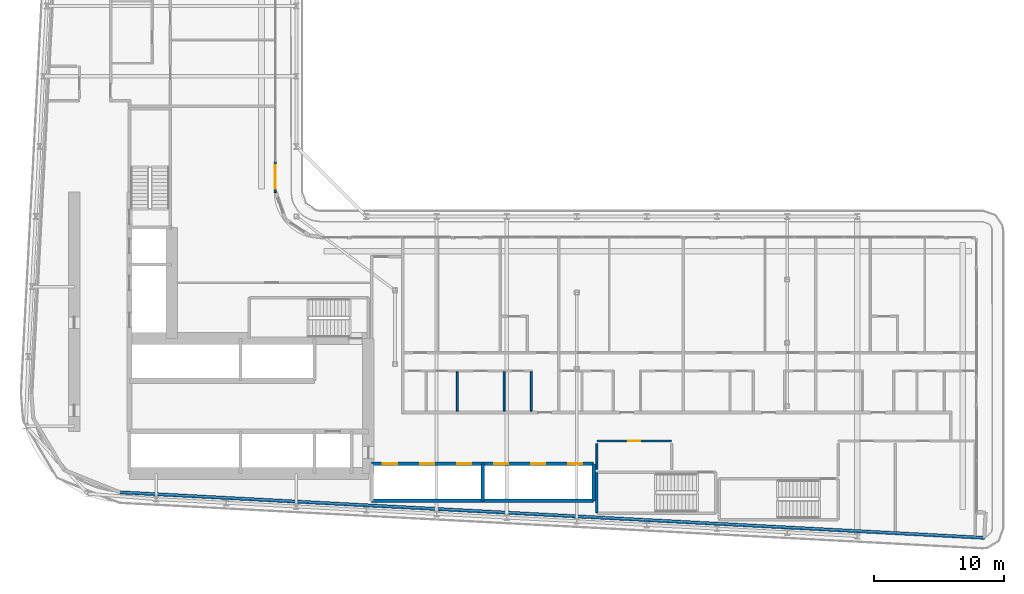
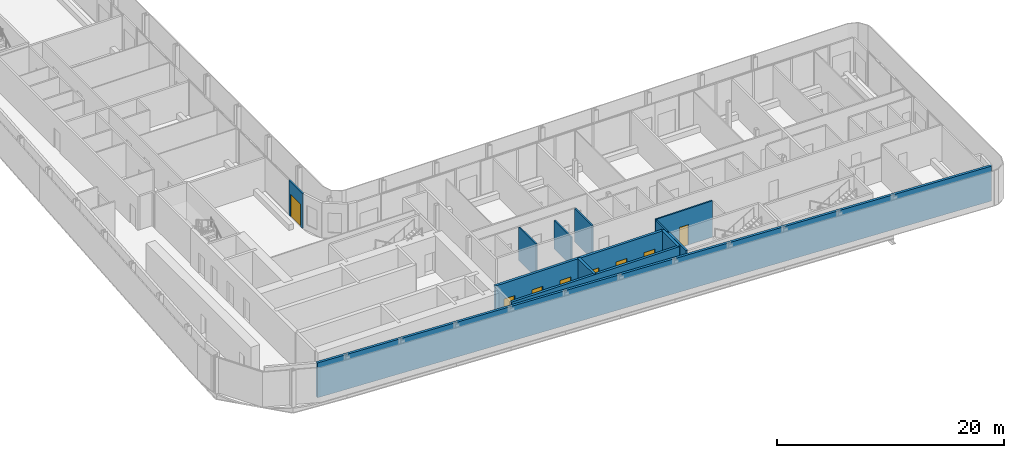
# One storey, part 13 of 26: 12 walls, 8 doors, 8 openings.
"""IFC4 building model written with IfcOpenShell, lengths in metres."""

from ifc_helpers import new_model, si_unit, direction, frame, frame_2d, origin, place, context, subcontext, project, spatial, rectangle, extrude, source, transform, mapped, material, layer, layer_set, type_object, element, fill, save


model = new_model("IFC4")

# Units and contexts
model_context = context("Model", 3, precision=1e-05, world=origin(), true_north=direction((0.0, 1.0)))
body_context = subcontext(model_context, "Body", "Model", "MODEL_VIEW")
ifc_project = project(units=[si_unit("LENGTHUNIT", "METRE"), si_unit("AREAUNIT", "SQUARE_METRE"), si_unit("VOLUMEUNIT", "CUBIC_METRE"), si_unit("PLANEANGLEUNIT", "RADIAN"), si_unit("MASSUNIT", "GRAM", prefix="KILO")], contexts=[model_context])

# Site, building, storey
site_placement = place(None, origin())
site = spatial("IfcSite", under=ifc_project, at=site_placement, CompositionType="ELEMENT")
building_placement = place(site_placement, origin())
building = spatial("IfcBuilding", under=site, at=building_placement, Name="Kheshtan School and Residences Tower", CompositionType="ELEMENT")
storey_placement = place(building_placement, frame((0.0, 0.0, 105.800048828125)))
storey = spatial("IfcBuildingStorey", under=building, at=storey_placement, Name="L24", CompositionType="ELEMENT", Elevation=105.800048828125)

# Wall
ifc_material_1 = material(Name="Concrete C40/50 with ceramic cladding and mineral wool insulation", Category="concrete")
ifc_layer_1 = layer(ifc_material_1, 0.25)
ifc_layer_set_1 = layer_set([ifc_layer_1], Name="External wall 250 ceramic clad")
wall_type_1 = type_object("IfcWallType", Name="External wall 250 ceramic clad", PredefinedType="SOLIDWALL", material=ifc_layer_set_1)
wall_1_placement = place(storey_placement, frame((100.5859375, 20.85009765625, 0.0), z_axis=(0.0, 0.0, 1.0), x_axis=(-0.99861746497, 0.052565755559, 0.0)))
element("IfcWall", 1, at=wall_1_placement, inside=storey, type_object=wall_type_1, Name="External wall L24 12", PredefinedType="SOLIDWALL", context=body_context, shape_type="SweptSolid", body=[
    extrude(rectangle(XDim=66.638916015625, YDim=0.25, at=frame_2d((33.3193359375, 0.0))), origin(), (0.0, 0.0, 1.0), 3.75),
])

# Wall, opening, door
ifc_material_2 = material(Name="Aluminium frame wall with insulated infill", Category="aluminium")
ifc_layer_2 = layer(ifc_material_2, 0.14990234375)
ifc_layer_set_2 = layer_set([ifc_layer_2], Name="Glazing frame wall 150")
wall_type_2 = type_object("IfcWallType", Name="Glazing frame wall 150", PredefinedType="SOLIDWALL", material=ifc_layer_set_2)
wall_2_placement = place(storey_placement, frame((45.97509765625, 49.830078125, 0.0), z_axis=(0.0, 0.0, 1.0), x_axis=(0.0, -1.0, 0.0)))
wall_2 = element("IfcWall", 2, at=wall_2_placement, inside=storey, type_object=wall_type_2, Name="Balcony door wall L24 4.4", PredefinedType="SOLIDWALL", context=body_context, shape_type="SweptSolid", body=[
    extrude(rectangle(XDim=2.400146484375, YDim=0.14990234375, at=frame_2d((1.2001953125, 0.0))), origin(), (0.0, 0.0, 1.0), 3.75),
])
opening_1_placement = place(wall_2_placement, frame((0.300048828125, 0.0, 0.0)))
opening_1 = element("IfcOpeningElement", 3, at=opening_1_placement, cuts=wall_2, Name="Opening BD", PredefinedType="OPENING", context=body_context, shape_type="SweptSolid", body=[
    extrude(rectangle(XDim=1.800048828125, YDim=2.39990234375, at=frame_2d((0.89990234375, 1.199951171875))), frame((0.0, 0.0849609375, 0.0), z_axis=(0.0, -1.0, 0.0), x_axis=(1.0, 0.0, 0.0)), (0.0, 0.0, 1.0), 0.169921875),
])
ifc_material_3 = material(Name="Clear low-e glass in thermally broken aluminium frame", Category="aluminium")
door_type_1 = type_object("IfcDoorType", Name="Balcony sliding door", OperationType="SLIDING_TO_LEFT", PredefinedType="DOOR", material=ifc_material_3)
shared_shape_1 = source(origin(), body_context, "Body", "SweptSolid", [
    extrude(rectangle(XDim=1.800048828125, YDim=2.39990234375, at=frame_2d((0.89990234375, 1.199951171875))), frame((0.0, 0.02490234375, 0.0), z_axis=(0.0, -1.0, 0.0), x_axis=(1.0, 0.0, 0.0)), (0.0, 0.0, 1.0), 0.050048828125),
])
door_1_placement = place(opening_1_placement, origin())
door_1 = element("IfcDoor", 4, at=door_1_placement, inside=storey, type_object=door_type_1, Name="Balcony door L24 4.4", OperationType="SLIDING_TO_LEFT", OverallHeight=2.39990234375, OverallWidth=1.800048828125, PredefinedType="DOOR", context=body_context, shape_type="MappedRepresentation", body=[
    mapped(shared_shape_1, transform((0.0, 0.0, 0.0), x_axis=(1.0, 0.0, 0.0), y_axis=(0.0, 1.0, 0.0), z_axis=(0.0, 0.0, 1.0), scale=1.0)),
])
fill(opening_1, door_1)

ifc_material_4 = material(Name="Fire-board shaft wall system")
ifc_layer_3 = layer(ifc_material_4, 0.14990234375)
ifc_layer_set_3 = layer_set([ifc_layer_3], Name="Service room wall 150")
wall_type_3 = type_object("IfcWallType", Name="Service room wall 150", PredefinedType="PARTITIONING", material=ifc_layer_set_3)
wall_3_placement = place(storey_placement, frame((70.75, 28.300048828125, 0.0), z_axis=(0.0, 0.0, 1.0), x_axis=(1.0, 0.0, 0.0)))
wall_3 = element("IfcWall", 5, at=wall_3_placement, inside=storey, type_object=wall_type_3, Name="Service room wall", PredefinedType="PARTITIONING", context=body_context, shape_type="SweptSolid", body=[
    extrude(rectangle(XDim=5.760009765625, YDim=0.14990234375, at=frame_2d((2.8798828125, 0.0))), origin(), (0.0, 0.0, 1.0), 3.89990234375),
])
opening_2_placement = place(wall_3_placement, frame((2.429931640625, 0.0, 0.0)))
opening_2 = element("IfcOpeningElement", 6, at=opening_2_placement, cuts=wall_3, Name="Opening SR90", PredefinedType="OPENING", context=body_context, shape_type="SweptSolid", body=[
    extrude(rectangle(XDim=0.89990234375, YDim=2.199951171875, at=frame_2d((0.449951171875, 1.10009765625))), frame((0.0, 0.0849609375, 0.0), z_axis=(0.0, -1.0, 0.0), x_axis=(1.0, 0.0, 0.0)), (0.0, 0.0, 1.0), 0.169921875),
])
ifc_material_5 = material(Name="Steel door leaf, galvanised", Category="steel")
door_type_2 = type_object("IfcDoorType", Name="Service room door 900 steel 90 min", OperationType="SINGLE_SWING_LEFT", PredefinedType="DOOR", material=ifc_material_5)
shared_shape_2 = source(origin(), body_context, "Body", "SweptSolid", [
    extrude(rectangle(XDim=0.89990234375, YDim=2.199951171875, at=frame_2d((0.449951171875, 1.10009765625))), frame((0.0, 0.02490234375, 0.0), z_axis=(0.0, -1.0, 0.0), x_axis=(1.0, 0.0, 0.0)), (0.0, 0.0, 1.0), 0.050048828125),
])
door_2_placement = place(opening_2_placement, origin())
door_2 = element("IfcDoor", 7, at=door_2_placement, inside=storey, type_object=door_type_2, Name="Service room door", OperationType="SINGLE_SWING_LEFT", OverallHeight=2.199951171875, OverallWidth=0.89990234375, PredefinedType="DOOR", context=body_context, shape_type="MappedRepresentation", body=[
    mapped(shared_shape_2, transform((0.0, 0.0, 0.0), x_axis=(1.0, 0.0, 0.0), y_axis=(0.0, 1.0, 0.0), z_axis=(0.0, 0.0, 1.0), scale=1.0)),
])
fill(opening_2, door_2)

# Walls
wall_4_placement = place(storey_placement, frame((70.75, 26.1201171875, 0.0), z_axis=(0.0, 0.0, 1.0), x_axis=(0.0, 1.0, 0.0)))
element("IfcWall", 8, at=wall_4_placement, inside=storey, type_object=wall_type_3, Name="Service room wall", PredefinedType="PARTITIONING", context=body_context, shape_type="SweptSolid", body=[
    extrude(rectangle(XDim=1.98486328125, YDim=0.14990234375, at=frame_2d((0.992431640625, 0.0))), origin(), (0.0, 0.0, 1.0), 3.89990234375),
])
ifc_layer_4 = layer(ifc_material_4, 0.25)
ifc_layer_set_4 = layer_set([ifc_layer_4], Name="Shaft lining wall 250")
wall_type_4 = type_object("IfcWallType", Name="Shaft lining wall 250", PredefinedType="PARTITIONING", material=ifc_layer_set_4)
for number, where, z_axis, x_axis, name in (
    (9, (61.949951171875, 23.699951171875, 0.0), (0.0, 0.0, 1.0), (0.0, 1.0, 0.0), "Shaft lining wall"),
    (10, (70.5, 23.699951171875, 0.0), (0.0, 0.0, 1.0), (0.0, 1.0, 0.0), "Shaft lining wall"),
):
    element("IfcWall", number, at=place(storey_placement, frame(where, z_axis=z_axis, x_axis=x_axis)), inside=storey, type_object=wall_type_4, Name=name, PredefinedType="PARTITIONING", context=body_context, shape_type="SweptSolid", body=[
        extrude(rectangle(XDim=2.85009765625, YDim=0.25, at=frame_2d((1.425048828125, 0.0))), origin(), (0.0, 0.0, 1.0), 3.89990234375),
    ])
wall_5_placement = place(storey_placement, frame((53.39990234375, 23.699951171875, 0.0), z_axis=(0.0, 0.0, 1.0), x_axis=(1.0, 0.0, 0.0)))
element("IfcWall", 11, at=wall_5_placement, inside=storey, type_object=wall_type_4, Name="Shaft lining wall", PredefinedType="PARTITIONING", context=body_context, shape_type="SweptSolid", body=[
    extrude(rectangle(XDim=17.10009765625, YDim=0.25, at=frame_2d((8.550048828125, 0.0))), origin(), (0.0, 0.0, 1.0), 3.89990234375),
])

# Wall, openings, doors
wall_6_placement = place(storey_placement, frame((53.39990234375, 26.550048828125, 0.0), z_axis=(0.0, 0.0, 1.0), x_axis=(1.0, 0.0, 0.0)))
wall_6 = element("IfcWall", 12, at=wall_6_placement, inside=storey, type_object=wall_type_4, Name="Shaft lining wall", PredefinedType="PARTITIONING", context=body_context, shape_type="SweptSolid", body=[
    extrude(rectangle(XDim=17.10009765625, YDim=0.25, at=frame_2d((8.550048828125, 0.0))), origin(), (0.0, 0.0, 1.0), 3.89990234375),
])
opening_3_placement = place(wall_6_placement, frame((0.875, 0.0, 0.0)))
opening_3 = element("IfcOpeningElement", 13, at=opening_3_placement, cuts=wall_6, Name="Opening LD", PredefinedType="OPENING", context=body_context, shape_type="SweptSolid", body=[
    extrude(rectangle(XDim=1.10009765625, YDim=2.199951171875, at=frame_2d((0.550048828125, 1.10009765625))), frame((0.0, 0.135009765625, 0.0), z_axis=(0.0, -1.0, 0.0), x_axis=(1.0, 0.0, 0.0)), (0.0, 0.0, 1.0), 0.27001953125),
])
opening_4_placement = place(wall_6_placement, frame((3.72509765625, 0.0, 0.0)))
opening_4 = element("IfcOpeningElement", 14, at=opening_4_placement, cuts=wall_6, Name="Opening LD", PredefinedType="OPENING", context=body_context, shape_type="SweptSolid", body=[
    extrude(rectangle(XDim=1.10009765625, YDim=2.199951171875, at=frame_2d((0.550048828125, 1.10009765625))), frame((0.0, 0.135009765625, 0.0), z_axis=(0.0, -1.0, 0.0), x_axis=(1.0, 0.0, 0.0)), (0.0, 0.0, 1.0), 0.27001953125),
])
opening_5_placement = place(wall_6_placement, frame((6.574951171875, 0.0, 0.0)))
opening_5 = element("IfcOpeningElement", 15, at=opening_5_placement, cuts=wall_6, Name="Opening LD", PredefinedType="OPENING", context=body_context, shape_type="SweptSolid", body=[
    extrude(rectangle(XDim=1.10009765625, YDim=2.199951171875, at=frame_2d((0.550048828125, 1.10009765625))), frame((0.0, 0.135009765625, 0.0), z_axis=(0.0, -1.0, 0.0), x_axis=(1.0, 0.0, 0.0)), (0.0, 0.0, 1.0), 0.27001953125),
])
opening_6_placement = place(wall_6_placement, frame((9.425048828125, 0.0, 0.0)))
opening_6 = element("IfcOpeningElement", 16, at=opening_6_placement, cuts=wall_6, Name="Opening LD", PredefinedType="OPENING", context=body_context, shape_type="SweptSolid", body=[
    extrude(rectangle(XDim=1.10009765625, YDim=2.199951171875, at=frame_2d((0.550048828125, 1.10009765625))), frame((0.0, 0.135009765625, 0.0), z_axis=(0.0, -1.0, 0.0), x_axis=(1.0, 0.0, 0.0)), (0.0, 0.0, 1.0), 0.27001953125),
])
opening_7_placement = place(wall_6_placement, frame((12.27490234375, 0.0, 0.0)))
opening_7 = element("IfcOpeningElement", 17, at=opening_7_placement, cuts=wall_6, Name="Opening LD", PredefinedType="OPENING", context=body_context, shape_type="SweptSolid", body=[
    extrude(rectangle(XDim=1.10009765625, YDim=2.199951171875, at=frame_2d((0.550048828125, 1.10009765625))), frame((0.0, 0.135009765625, 0.0), z_axis=(0.0, -1.0, 0.0), x_axis=(1.0, 0.0, 0.0)), (0.0, 0.0, 1.0), 0.27001953125),
])
opening_8_placement = place(wall_6_placement, frame((15.125, 0.0, 0.0)))
opening_8 = element("IfcOpeningElement", 18, at=opening_8_placement, cuts=wall_6, Name="Opening LD", PredefinedType="OPENING", context=body_context, shape_type="SweptSolid", body=[
    extrude(rectangle(XDim=1.10009765625, YDim=2.199951171875, at=frame_2d((0.550048828125, 1.10009765625))), frame((0.0, 0.135009765625, 0.0), z_axis=(0.0, -1.0, 0.0), x_axis=(1.0, 0.0, 0.0)), (0.0, 0.0, 1.0), 0.27001953125),
])
ifc_material_6 = material(Name="Stainless steel door leaves", Category="steel")
door_type_3 = type_object("IfcDoorType", Name="Lift landing door 1100", OperationType="SLIDING_TO_LEFT", PredefinedType="DOOR", material=ifc_material_6)
shared_shape_3 = source(origin(), body_context, "Body", "SweptSolid", [
    extrude(rectangle(XDim=1.10009765625, YDim=2.199951171875, at=frame_2d((0.550048828125, 1.10009765625))), frame((0.0, 0.02490234375, 0.0), z_axis=(0.0, -1.0, 0.0), x_axis=(1.0, 0.0, 0.0)), (0.0, 0.0, 1.0), 0.050048828125),
])
door_3_placement = place(opening_3_placement, origin())
door_3 = element("IfcDoor", 19, at=door_3_placement, inside=storey, type_object=door_type_3, Name="Lift P1 landing door", OperationType="SLIDING_TO_LEFT", OverallHeight=2.199951171875, OverallWidth=1.10009765625, PredefinedType="DOOR", context=body_context, shape_type="MappedRepresentation", body=[
    mapped(shared_shape_3, transform((0.0, 0.0, 0.0), x_axis=(1.0, 0.0, 0.0), y_axis=(0.0, 1.0, 0.0), z_axis=(0.0, 0.0, 1.0), scale=1.0)),
])
fill(opening_3, door_3)
door_4_placement = place(opening_4_placement, origin())
door_4 = element("IfcDoor", 20, at=door_4_placement, inside=storey, type_object=door_type_3, Name="Lift P2 landing door", OperationType="SLIDING_TO_LEFT", OverallHeight=2.199951171875, OverallWidth=1.10009765625, PredefinedType="DOOR", context=body_context, shape_type="MappedRepresentation", body=[
    mapped(shared_shape_3, transform((0.0, 0.0, 0.0), x_axis=(1.0, 0.0, 0.0), y_axis=(0.0, 1.0, 0.0), z_axis=(0.0, 0.0, 1.0), scale=1.0)),
])
fill(opening_4, door_4)
door_5_placement = place(opening_5_placement, origin())
door_5 = element("IfcDoor", 21, at=door_5_placement, inside=storey, type_object=door_type_3, Name="Lift P3 landing door", OperationType="SLIDING_TO_LEFT", OverallHeight=2.199951171875, OverallWidth=1.10009765625, PredefinedType="DOOR", context=body_context, shape_type="MappedRepresentation", body=[
    mapped(shared_shape_3, transform((0.0, 0.0, 0.0), x_axis=(1.0, 0.0, 0.0), y_axis=(0.0, 1.0, 0.0), z_axis=(0.0, 0.0, 1.0), scale=1.0)),
])
fill(opening_5, door_5)
door_6_placement = place(opening_6_placement, origin())
door_6 = element("IfcDoor", 22, at=door_6_placement, inside=storey, type_object=door_type_3, Name="Lift P4 landing door", OperationType="SLIDING_TO_LEFT", OverallHeight=2.199951171875, OverallWidth=1.10009765625, PredefinedType="DOOR", context=body_context, shape_type="MappedRepresentation", body=[
    mapped(shared_shape_3, transform((0.0, 0.0, 0.0), x_axis=(1.0, 0.0, 0.0), y_axis=(0.0, 1.0, 0.0), z_axis=(0.0, 0.0, 1.0), scale=1.0)),
])
fill(opening_6, door_6)
door_7_placement = place(opening_7_placement, origin())
door_7 = element("IfcDoor", 23, at=door_7_placement, inside=storey, type_object=door_type_3, Name="Lift P5 landing door", OperationType="SLIDING_TO_LEFT", OverallHeight=2.199951171875, OverallWidth=1.10009765625, PredefinedType="DOOR", context=body_context, shape_type="MappedRepresentation", body=[
    mapped(shared_shape_3, transform((0.0, 0.0, 0.0), x_axis=(1.0, 0.0, 0.0), y_axis=(0.0, 1.0, 0.0), z_axis=(0.0, 0.0, 1.0), scale=1.0)),
])
fill(opening_7, door_7)
door_8_placement = place(opening_8_placement, origin())
door_8 = element("IfcDoor", 24, at=door_8_placement, inside=storey, type_object=door_type_3, Name="Lift P6 landing door", OperationType="SLIDING_TO_LEFT", OverallHeight=2.199951171875, OverallWidth=1.10009765625, PredefinedType="DOOR", context=body_context, shape_type="MappedRepresentation", body=[
    mapped(shared_shape_3, transform((0.0, 0.0, 0.0), x_axis=(1.0, 0.0, 0.0), y_axis=(0.0, 1.0, 0.0), z_axis=(0.0, 0.0, 1.0), scale=1.0)),
])
fill(opening_8, door_8)

# Walls
ifc_material_7 = material(Name="Concrete C40/50", Category="concrete")
ifc_layer_5 = layer(ifc_material_7, 0.199951171875)
ifc_layer_set_5 = layer_set([ifc_layer_5], Name="Stair enclosure wall 200 Concrete C40/50")
wall_type_5 = type_object("IfcWallType", Name="Stair enclosure wall 200 Concrete C40/50", PredefinedType="SHEAR", material=ifc_layer_set_5)
wall_7_placement = place(storey_placement, frame((70.75, 22.75, 0.0), z_axis=(0.0, 0.0, 1.0), x_axis=(0.0, 1.0, 0.0)))
element("IfcWall", 25, at=wall_7_placement, inside=storey, type_object=wall_type_5, Name="Stair enclosure wall ST5", PredefinedType="SHEAR", context=body_context, shape_type="SweptSolid", body=[
    extrude(rectangle(XDim=3.14990234375, YDim=0.199951171875, at=frame_2d((1.574951171875, 0.0))), origin(), (0.0, 0.0, 1.0), 3.89990234375),
])
ifc_material_8 = material(Name="Moisture-resistant gypsum board on steel studs", Category="steel")
ifc_layer_6 = layer(ifc_material_8, 0.14990234375)
ifc_layer_set_6 = layer_set([ifc_layer_6], Name="Wet-room partition 150")
wall_type_6 = type_object("IfcWallType", Name="Wet-room partition 150", PredefinedType="PARTITIONING", material=ifc_layer_set_6)
wall_8_placement = place(storey_placement, frame((60.0, 30.60009765625, 0.0), z_axis=(0.0, 0.0, 1.0), x_axis=(0.0, 1.0, 0.0)))
element("IfcWall", 26, at=wall_8_placement, inside=storey, type_object=wall_type_6, Name="Partition L24-035", PredefinedType="PARTITIONING", context=body_context, shape_type="SweptSolid", body=[
    extrude(rectangle(XDim=3.02490234375, YDim=0.14990234375, at=frame_2d((1.512451171875, 0.0))), origin(), (0.0, 0.0, 1.0), 3.599853515625),
])
wall_9_placement = place(storey_placement, frame((63.60009765625, 30.60009765625, 0.0), z_axis=(0.0, 0.0, 1.0), x_axis=(0.0, 1.0, 0.0)))
element("IfcWall", 27, at=wall_9_placement, inside=storey, type_object=wall_type_6, Name="Partition L24-038", PredefinedType="PARTITIONING", context=body_context, shape_type="SweptSolid", body=[
    extrude(rectangle(XDim=3.02490234375, YDim=0.14990234375, at=frame_2d((1.512451171875, 0.0))), origin(), (0.0, 0.0, 1.0), 3.072021484375),
])
wall_10_placement = place(storey_placement, frame((65.699951171875, 30.60009765625, 0.0), z_axis=(0.0, 0.0, 1.0), x_axis=(0.0, 1.0, 0.0)))
element("IfcWall", 28, at=wall_10_placement, inside=storey, type_object=wall_type_6, Name="Partition L24-040", PredefinedType="PARTITIONING", context=body_context, shape_type="SweptSolid", body=[
    extrude(rectangle(XDim=3.02490234375, YDim=0.14990234375, at=frame_2d((1.512451171875, 0.0))), origin(), (0.0, 0.0, 1.0), 3.599853515625),
])

save(model, "model.ifc")
